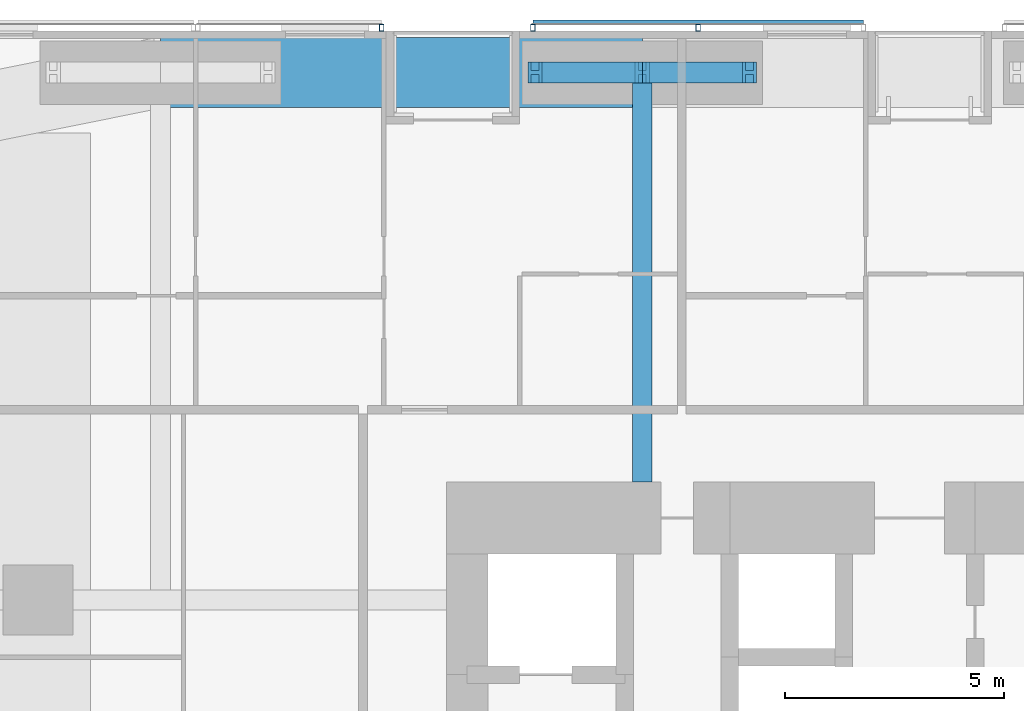
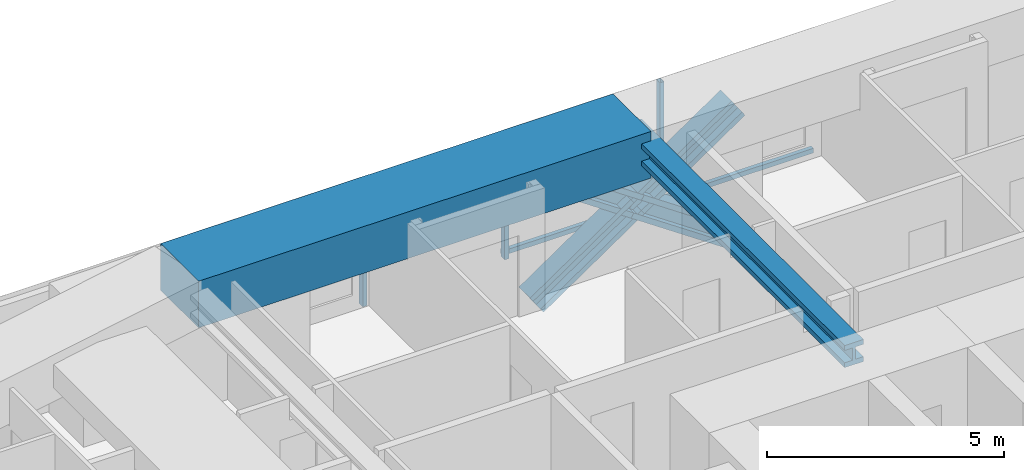
# One storey, part 11 of 22: 8 members, 2 beams, 2 elements without a shape of their own.
"""IFC4 building model written with IfcOpenShell, lengths in metres."""

from ifc_helpers import new_model, si_unit, direction, frame, origin, origin_2d, place, context, subcontext, project, spatial, rectangle, hollow_rectangle, i_section, extrude, material, material_profile, profile_set, type_object, element, aggregate, save


model = new_model("IFC4")

# Units and contexts
model_context = context("Model", 3, precision=1e-05, world=origin(), true_north=direction((0.0, 1.0)))
body_context = subcontext(model_context, "Body", "Model", "MODEL_VIEW")
ifc_project = project(units=[si_unit("LENGTHUNIT", "METRE"), si_unit("AREAUNIT", "SQUARE_METRE"), si_unit("VOLUMEUNIT", "CUBIC_METRE"), si_unit("PLANEANGLEUNIT", "RADIAN"), si_unit("MASSUNIT", "GRAM", prefix="KILO")], contexts=[model_context])

# Site, building, storey
site_placement = place(None, origin())
site = spatial("IfcSite", under=ifc_project, at=site_placement, CompositionType="ELEMENT")
building_placement = place(site_placement, origin())
building = spatial("IfcBuilding", under=site, at=building_placement, Name="Jalousie Tower", CompositionType="ELEMENT")
storey_placement = place(building_placement, frame((0.0, 0.0, 64.550048828125)))
storey = spatial("IfcBuildingStorey", under=building, at=storey_placement, Name="L17", CompositionType="ELEMENT", Elevation=64.550048828125)

# Beam
ifc_material_1 = material(Name="Steel ASTM A992 Grade 50", Category="steel")
ifc_material_profile_1 = material_profile(ifc_material_1, i_section(OverallWidth=0.45458984375, OverallDepth=0.569091796875, WebThickness=0.077880859375, FlangeThickness=0.124755859375, at=origin_2d()), Name="W14X730")
ifc_profile_set_1 = profile_set([ifc_material_profile_1], Name="Steel ASTM A992 Grade 50")
beam_type_1 = type_object("IfcBeamType", Name="LEAN COLLECTOR W14X730", PredefinedType="BEAM", material=ifc_profile_set_1)
beam_1_placement = place(storey_placement, frame((24.0, 37.050048828125, 2.825439453125), z_axis=(0.0, -1.0, 0.0), x_axis=(1.0, 0.0, 0.0)))
element("IfcBeam", 1, at=beam_1_placement, inside=storey, type_object=beam_type_1, Name="Lean collector under L18", PredefinedType="BEAM", context=body_context, shape_type="SweptSolid", body=[
    extrude(i_section(OverallWidth=0.45458984375, OverallDepth=0.569091796875, WebThickness=0.077880859375, FlangeThickness=0.124755859375, at=origin_2d()), origin(), (0.0, 0.0, 1.0), 9.35009765625),
])

# Members
ifc_material_2 = material(Name="Steel ASTM A992 Grade 50", Category="steel")
ifc_material_profile_2 = material_profile(ifc_material_2, i_section(OverallWidth=0.472412109375, OverallDepth=0.5791015625, WebThickness=0.094970703125, FlangeThickness=0.1298828125, at=origin_2d()), Name="W14X808")
ifc_profile_set_2 = profile_set([ifc_material_profile_2], Name="Steel ASTM A992 Grade 50")
member_type_1 = type_object("IfcMemberType", Name="PERIMETER BRACE W14X808", PredefinedType="BRACE", material=ifc_profile_set_2)
for number, where, z_axis, x_axis, name in (
    (2, (21.550048828125, 37.050048828125, -0.60009765625), (0.825500916831, 0.0, 0.564400776321), (0.0, 1.0, 0.0), "Perimeter brace 10 L17 part 1"),
    (3, (24.0, 37.050048828125, 1.074951171875), (0.825500916831, 0.0, 0.564400776321), (0.0, 1.0, 0.0), "Perimeter brace 10 L17 part 2"),
    (4, (26.449951171875, 37.050048828125, -0.60009765625), (-0.825500916831, 0.0, 0.564400776321), (0.0, -1.0, 0.0), "Perimeter brace 10 L17 part 3"),
    (5, (24.0, 37.050048828125, 1.074951171875), (-0.825500916831, 0.0, 0.564400776321), (0.0, -1.0, 0.0), "Perimeter brace 10 L17 part 4"),
):
    element("IfcMember", number, at=place(storey_placement, frame(where, z_axis=z_axis, x_axis=x_axis)), inside=storey, type_object=member_type_1, Name=name, PredefinedType="BRACE", context=body_context, shape_type="SweptSolid", body=[
        extrude(i_section(OverallWidth=0.472412109375, OverallDepth=0.5791015625, WebThickness=0.094970703125, FlangeThickness=0.1298828125, at=origin_2d()), origin(), (0.0, 0.0, 1.0), 2.9677734375),
    ])

# Beam
ifc_material_3 = material(Name="Concrete f'c 40 MPa", Category="concrete")
ifc_material_profile_3 = material_profile(ifc_material_3, rectangle(XDim=1.60009765625, YDim=1.199951171875, at=origin_2d()), Name="RC 1600x1200")
ifc_profile_set_3 = profile_set([ifc_material_profile_3], Name="Concrete f'c 40 MPa")
beam_type_2 = type_object("IfcBeamType", Name="RC BEAM 1600x1200", PredefinedType="BEAM", material=ifc_profile_set_3)
beam_2_placement = place(storey_placement, frame((24.0, 37.050048828125, 2.75), z_axis=(-1.0, 0.0, 0.0), x_axis=(0.0, -1.0, 0.0)))
element("IfcBeam", 6, at=beam_2_placement, inside=storey, type_object=beam_type_2, Name="Edge band beam 10-11 under L18", PredefinedType="BEAM", context=body_context, shape_type="SweptSolid", body=[
    extrude(rectangle(XDim=1.60009765625, YDim=1.199951171875, at=origin_2d()), origin(), (0.0, 0.0, 1.0), 11.0),
])

# Curtain wall, members
ifc_material_4 = material(Name="Perforated aluminium sheet", Category="aluminium")
curtain_wall_type = type_object("IfcCurtainWallType", Name="SOLAR SCREEN SS-1", PredefinedType="USERDEFINED", material=ifc_material_4)
curtain_wall_1_placement = place(storey_placement, origin())
curtain_wall_1 = element("IfcCurtainWall", 7, at=curtain_wall_1_placement, inside=storey, type_object=curtain_wall_type, Name="Solar screen L17", ObjectType="SOLAR SCREEN SS-1", PredefinedType="USERDEFINED")
ifc_material_5 = material(Name="Steel ASTM A500 Grade C", Category="steel")
ifc_material_profile_4 = material_profile(ifc_material_5, hollow_rectangle(XDim=0.1015625, YDim=0.15234375, WallThickness=0.00634765625, at=origin_2d()), Name="HSS6X4X1/4")
ifc_profile_set_4 = profile_set([ifc_material_profile_4], Name="Steel ASTM A500 Grade C")
member_type_2 = type_object("IfcMemberType", Name="SOLAR SCREEN SS-1 MULLION", PredefinedType="MULLION", material=ifc_profile_set_4)
member_1_placement = place(storey_placement, frame((25.27490234375, 38.0712890625, -0.1201171875), z_axis=(0.0, 0.0, 1.0), x_axis=(-1.0, 0.0, 0.0)))
member_1 = element("IfcMember", 8, at=member_1_placement, type_object=member_type_2, Name="SS1 post 2", PredefinedType="MULLION", context=body_context, shape_type="SweptSolid", body=[
    extrude(hollow_rectangle(XDim=0.1015625, YDim=0.15234375, WallThickness=0.00634765625, at=origin_2d()), origin(), (0.0, 0.0, 1.0), 3.22998046875),
])
member_2_placement = place(storey_placement, frame((21.5, 38.0712890625, -0.1201171875), z_axis=(0.0, 0.0, 1.0), x_axis=(-1.0, 0.0, 0.0)))
member_2 = element("IfcMember", 9, at=member_2_placement, type_object=member_type_2, Name="SS1 post 3", PredefinedType="MULLION", context=body_context, shape_type="SweptSolid", body=[
    extrude(hollow_rectangle(XDim=0.1015625, YDim=0.15234375, WallThickness=0.00634765625, at=origin_2d()), origin(), (0.0, 0.0, 1.0), 3.22998046875),
])

# Curtain wall, member
curtain_wall_2_placement = place(storey_placement, origin())
curtain_wall_2 = element("IfcCurtainWall", 10, at=curtain_wall_2_placement, inside=storey, type_object=curtain_wall_type, Name="Solar screen L17", ObjectType="SOLAR SCREEN SS-1", PredefinedType="USERDEFINED")
member_3_placement = place(storey_placement, frame((18.050048828125, 38.0712890625, -0.1201171875), z_axis=(0.0, 0.0, 1.0), x_axis=(-1.0, 0.0, 0.0)))
member_3 = element("IfcMember", 11, at=member_3_placement, type_object=member_type_2, Name="SS1 post 1", PredefinedType="MULLION", context=body_context, shape_type="SweptSolid", body=[
    extrude(hollow_rectangle(XDim=0.1015625, YDim=0.15234375, WallThickness=0.00634765625, at=origin_2d()), origin(), (0.0, 0.0, 1.0), 3.22998046875),
])
aggregate(curtain_wall_2, [member_3])

# Member
ifc_material_6 = material(Name="Extruded aluminium screen rail", Category="aluminium")
ifc_material_profile_5 = material_profile(ifc_material_6, rectangle(XDim=0.1015625, YDim=0.1201171875, at=origin_2d()), Name="RAIL 102x120")
ifc_profile_set_5 = profile_set([ifc_material_profile_5], Name="Extruded aluminium screen rail")
member_type_3 = type_object("IfcMemberType", Name="SOLAR SCREEN SS-1 TRANSOM", PredefinedType="USERDEFINED", material=ifc_profile_set_5)
member_4_placement = place(storey_placement, frame((29.050048828125, 38.1982421875, -0.06005859375), z_axis=(-1.0, 0.0, 0.0), x_axis=(0.0, -1.0, 0.0)))
member_4 = element("IfcMember", 12, at=member_4_placement, type_object=member_type_3, Name="SS1 rail", ObjectType="TRANSOM", PredefinedType="USERDEFINED", context=body_context, shape_type="SweptSolid", body=[
    extrude(rectangle(XDim=0.1015625, YDim=0.1201171875, at=origin_2d()), origin(), (0.0, 0.0, 1.0), 7.550048828125),
])

aggregate(curtain_wall_1, [member_1, member_2, member_4])

save(model, "model.ifc")
